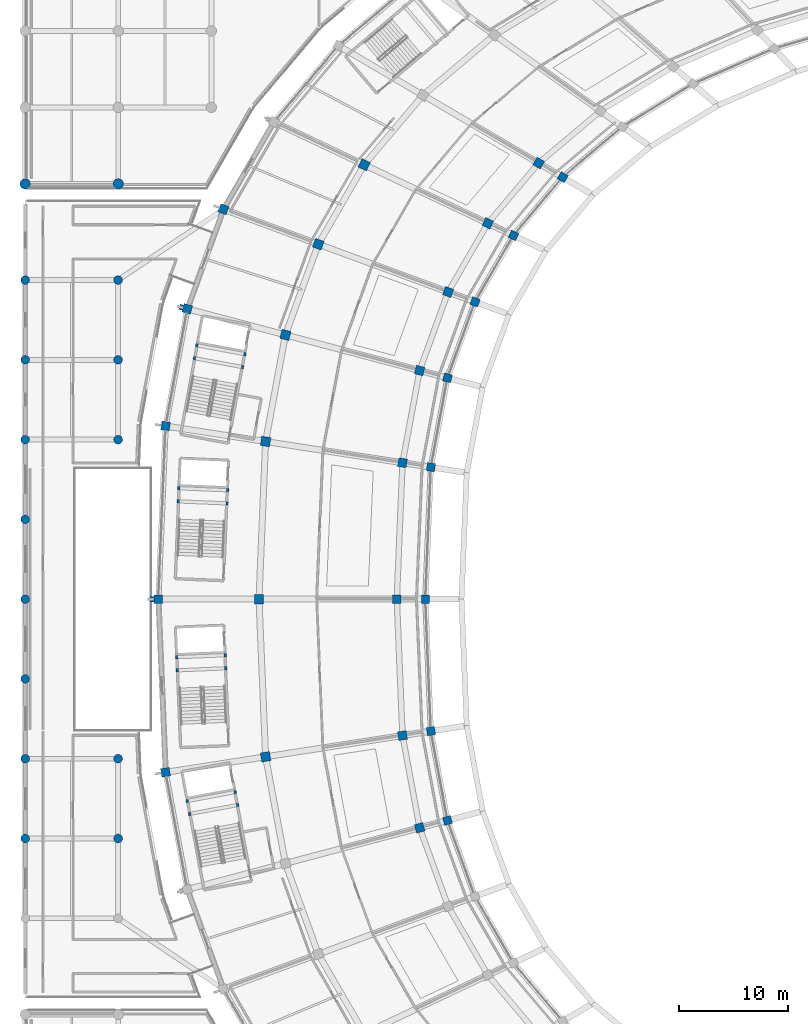
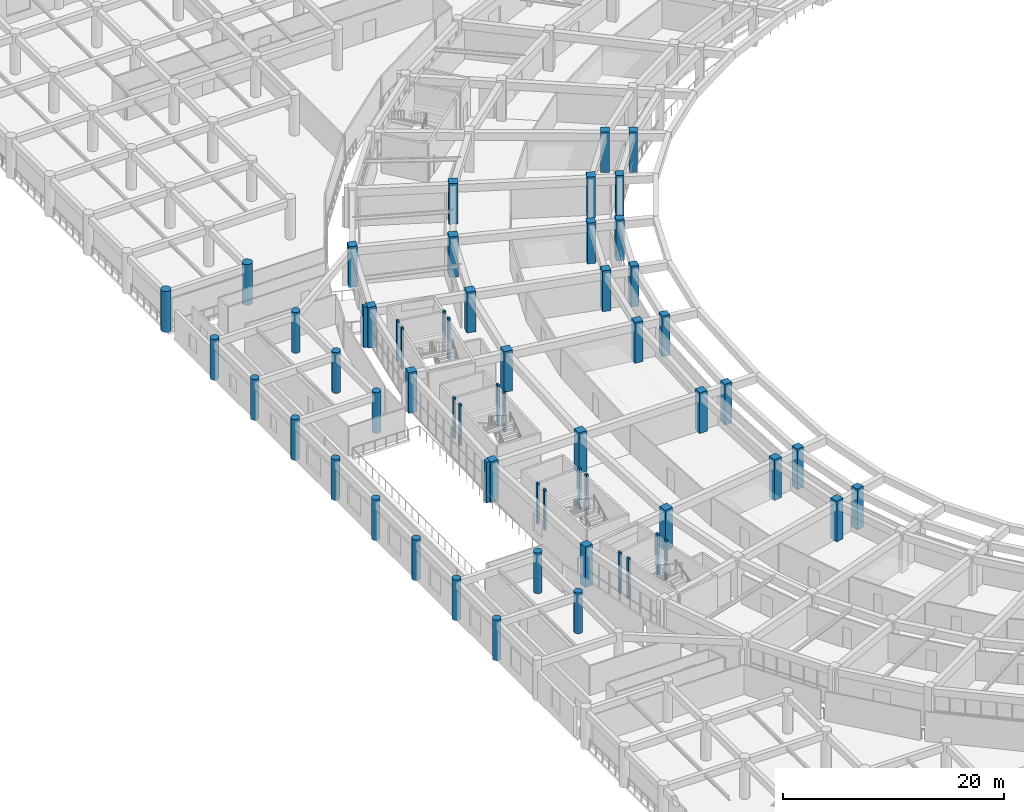
# One storey, part 3 of 145: 60 columns.
"""IFC4 building model written with IfcOpenShell, lengths in metres."""

from ifc_helpers import new_model, si_unit, direction, frame, origin, origin_2d, place, context, subcontext, project, spatial, rectangle, circle, extrude, material, material_profile, profile_set, type_object, element, save


model = new_model("IFC4")

# Units and contexts
model_context = context("Model", 3, precision=1e-05, world=origin(), true_north=direction((0.0, 1.0)))
body_context = subcontext(model_context, "Body", "Model", "MODEL_VIEW")
ifc_project = project(units=[si_unit("LENGTHUNIT", "METRE"), si_unit("AREAUNIT", "SQUARE_METRE"), si_unit("VOLUMEUNIT", "CUBIC_METRE"), si_unit("PLANEANGLEUNIT", "RADIAN"), si_unit("MASSUNIT", "GRAM", prefix="KILO")], contexts=[model_context])

# Site, building, storey
site_placement = place(None, origin())
site = spatial("IfcSite", under=ifc_project, at=site_placement, CompositionType="ELEMENT")
building_placement = place(site_placement, origin())
building = spatial("IfcBuilding", under=site, at=building_placement, Name="Mphavela Belvedere Stadium", CompositionType="ELEMENT")
storey_placement = place(building_placement, frame((0.0, 0.0, 10.199951171875)))
storey = spatial("IfcBuildingStorey", under=building, at=storey_placement, Name="L02", CompositionType="ELEMENT", Elevation=10.199951171875)

# Columns
ifc_material_1 = material(Name="Concrete C40/50", Category="concrete")
ifc_material_profile_1 = material_profile(ifc_material_1, rectangle(XDim=0.300048828125, YDim=0.219970703125, at=origin_2d()), Name="RC 300x220")
ifc_profile_set_1 = profile_set([ifc_material_profile_1], Name="Concrete C40/50")
column_type_1 = type_object("IfcColumnType", Name="COL-CORE-POST-300", PredefinedType="COLUMN", material=ifc_profile_set_1)
for number, where, z_axis, x_axis, name in (
    (1, (19.88623046875, 108.2353515625, 0.0), (0.0, 0.0, 1.0), (0.182578735093, 0.983191235463, 0.0), "Core C06 stair frame column L02-1"),
    (2, (20.105224609375, 109.415283203125, 0.0), (0.0, 0.0, 1.0), (0.182578735093, 0.983191235463, 0.0), "Core C06 stair frame column L02-2"),
    (3, (15.71044921875, 110.231201171875, 0.0), (0.0, 0.0, 1.0), (0.182578735093, 0.983191235463, 0.0), "Core C06 stair frame column L02-3"),
    (4, (15.491455078125, 109.051513671875, 0.0), (0.0, 0.0, 1.0), (0.182578735093, 0.983191235463, 0.0), "Core C06 stair frame column L02-4"),
    (5, (18.47021484375, 95.76318359375, 0.0), (0.0, 0.0, 1.0), (0.041875653729, 0.999122830099, 0.0), "Core C07 stair frame column L02-1"),
    (6, (18.5205078125, 96.96240234375, 0.0), (0.0, 0.0, 1.0), (0.041875653729, 0.999122830099, 0.0), "Core C07 stair frame column L02-2"),
    (7, (14.05419921875, 97.1494140625, 0.0), (0.0, 0.0, 1.0), (0.041875653729, 0.999122830099, 0.0), "Core C07 stair frame column L02-3"),
    (8, (14.004150390625, 95.950439453125, 0.0), (0.0, 0.0, 1.0), (0.041875653729, 0.999122830099, 0.0), "Core C07 stair frame column L02-4"),
    (9, (18.367919921875, 80.674560546875, 0.0), (0.0, 0.0, 1.0), (-0.041875653729, 0.999122830099, 0.0), "Core C08 stair frame column L02-1"),
    (10, (18.317626953125, 81.87353515625, 0.0), (0.0, 0.0, 1.0), (-0.041875653729, 0.999122830099, 0.0), "Core C08 stair frame column L02-2"),
    (11, (13.8515625, 81.686279296875, 0.0), (0.0, 0.0, 1.0), (-0.041875653729, 0.999122830099, 0.0), "Core C08 stair frame column L02-3"),
    (12, (13.90185546875, 80.4873046875, 0.0), (0.0, 0.0, 1.0), (-0.041875653729, 0.999122830099, 0.0), "Core C08 stair frame column L02-4"),
    (13, (19.440673828125, 68.16357421875, 0.0), (0.0, 0.0, 1.0), (-0.182578735093, 0.983191235463, 0.0), "Core C09 stair frame column L02-1"),
    (14, (19.2216796875, 69.343505859375, 0.0), (0.0, 0.0, 1.0), (-0.182578735093, 0.983191235463, 0.0), "Core C09 stair frame column L02-2"),
    (15, (14.82666015625, 68.52734375, 0.0), (0.0, 0.0, 1.0), (-0.182578735093, 0.983191235463, 0.0), "Core C09 stair frame column L02-3"),
    (16, (15.0458984375, 67.347412109375, 0.0), (0.0, 0.0, 1.0), (-0.182578735093, 0.983191235463, 0.0), "Core C09 stair frame column L02-4"),
):
    element("IfcColumn", number, at=place(storey_placement, frame(where, z_axis=z_axis, x_axis=x_axis)), inside=storey, type_object=column_type_1, Name=name, PredefinedType="COLUMN", context=body_context, shape_type="SweptSolid", body=[
        extrude(rectangle(XDim=0.300048828125, YDim=0.219970703125, at=origin_2d()), origin(), (0.0, 0.0, 1.0), 4.5),
    ])
ifc_material_2 = material(Name="Concrete C40/50", Category="concrete")
ifc_material_profile_2 = material_profile(ifc_material_2, circle(Radius=0.47509765625, at=origin_2d()), Name="COL D950")
ifc_profile_set_2 = profile_set([ifc_material_profile_2], Name="Concrete C40/50")
column_type_2 = type_object("IfcColumnType", Name="COL-DORIC-950", PredefinedType="COLUMN", material=ifc_profile_set_2)
for number, where, z_axis, x_axis, name in (
    (17, (0.0, 125.0, 0.0), (0.0, 0.0, 1.0), (1.0, 0.0, 0.0), "North Mast and Ceremonial End Forecourt classical column L02 1-1"),
    (18, (8.51904296875, 125.0, 0.0), (0.0, 0.0, 1.0), (1.0, 0.0, 0.0), "North Mast and Ceremonial End Forecourt classical column L02 2-1"),
):
    element("IfcColumn", number, at=place(storey_placement, frame(where, z_axis=z_axis, x_axis=x_axis)), inside=storey, type_object=column_type_2, Name=name, PredefinedType="COLUMN", context=body_context, shape_type="SweptSolid", body=[
        extrude(circle(Radius=0.47509765625, at=origin_2d()), origin(), (0.0, 0.0, 1.0), 4.5),
    ])
ifc_material_3 = material(Name="Concrete C40/50", Category="concrete")
ifc_material_profile_3 = material_profile(ifc_material_3, circle(Radius=0.39990234375, at=origin_2d()), Name="COL D800")
ifc_profile_set_3 = profile_set([ifc_material_profile_3], Name="Concrete C40/50")
column_type_3 = type_object("IfcColumnType", Name="COL-PERISTYLE-800", PredefinedType="COLUMN", material=ifc_profile_set_3)
for number, where, z_axis, x_axis, name in (
    (19, (0.0, 65.10009765625, 0.0), (0.0, 0.0, 1.0), (1.0, 0.0, 0.0), "West Planted Eaves Peristyle Colonnade classical column L02 1-3"),
    (20, (0.0, 72.39990234375, 0.0), (0.0, 0.0, 1.0), (1.0, 0.0, 0.0), "West Planted Eaves Peristyle Colonnade classical column L02 1-4"),
    (21, (0.0, 79.699951171875, 0.0), (0.0, 0.0, 1.0), (1.0, 0.0, 0.0), "West Planted Eaves Peristyle Colonnade classical column L02 1-5"),
    (22, (0.0, 87.0, 0.0), (0.0, 0.0, 1.0), (1.0, 0.0, 0.0), "West Planted Eaves Peristyle Colonnade classical column L02 1-6"),
    (23, (0.0, 94.300048828125, 0.0), (0.0, 0.0, 1.0), (1.0, 0.0, 0.0), "West Planted Eaves Peristyle Colonnade classical column L02 1-7"),
    (24, (0.0, 101.60009765625, 0.0), (0.0, 0.0, 1.0), (1.0, 0.0, 0.0), "West Planted Eaves Peristyle Colonnade classical column L02 1-8"),
    (25, (0.0, 108.89990234375, 0.0), (0.0, 0.0, 1.0), (1.0, 0.0, 0.0), "West Planted Eaves Peristyle Colonnade classical column L02 1-9"),
    (26, (0.0, 116.199951171875, 0.0), (0.0, 0.0, 1.0), (1.0, 0.0, 0.0), "West Planted Eaves Peristyle Colonnade classical column L02 1-10"),
    (27, (8.5, 65.10009765625, 0.0), (0.0, 0.0, 1.0), (1.0, 0.0, 0.0), "West Planted Eaves Peristyle Colonnade classical column L02 2-3"),
    (28, (8.5, 72.39990234375, 0.0), (0.0, 0.0, 1.0), (1.0, 0.0, 0.0), "West Planted Eaves Peristyle Colonnade classical column L02 2-4"),
    (29, (8.5, 101.60009765625, 0.0), (0.0, 0.0, 1.0), (1.0, 0.0, 0.0), "West Planted Eaves Peristyle Colonnade classical column L02 2-8"),
    (30, (8.5, 108.89990234375, 0.0), (0.0, 0.0, 1.0), (1.0, 0.0, 0.0), "West Planted Eaves Peristyle Colonnade classical column L02 2-9"),
    (31, (8.5, 116.199951171875, 0.0), (0.0, 0.0, 1.0), (1.0, 0.0, 0.0), "West Planted Eaves Peristyle Colonnade classical column L02 2-10"),
):
    element("IfcColumn", number, at=place(storey_placement, frame(where, z_axis=z_axis, x_axis=x_axis)), inside=storey, type_object=column_type_3, Name=name, PredefinedType="COLUMN", context=body_context, shape_type="SweptSolid", body=[
        extrude(circle(Radius=0.39990234375, at=origin_2d()), origin(), (0.0, 0.0, 1.0), 4.5),
    ])
ifc_material_4 = material(Name="Concrete C40/50", Category="concrete")
ifc_material_profile_4 = material_profile(ifc_material_4, rectangle(XDim=0.75, YDim=0.75, at=origin_2d()), Name="RC 750x750")
ifc_profile_set_4 = profile_set([ifc_material_profile_4], Name="Concrete C40/50")
column_type_4 = type_object("IfcColumnType", Name="COL-RC750", PredefinedType="COLUMN", material=ifc_profile_set_4)
for number, where, z_axis, x_axis, name in (
    (32, (49.1875, 125.611328125, 0.0), (0.0, 0.0, 1.0), (-0.862513669207, 0.506033764121, 0.0), "Inner concourse column L02 R1-20"),
    (33, (44.68701171875, 120.281494140625, 0.0), (0.0, 0.0, 1.0), (-0.903858661687, 0.4278311813, 0.0), "Inner concourse column L02 R1-21"),
    (34, (41.170166015625, 114.19921875, 0.0), (0.0, 0.0, 1.0), (-0.938372433776, 0.34562577382, 0.0), "Inner concourse column L02 R1-22"),
    (35, (38.648193359375, 107.24755859375, 0.0), (0.0, 0.0, 1.0), (-0.966600102017, 0.256289373133, 0.0), "Inner concourse column L02 R1-23"),
    (36, (37.130615234375, 99.078125, 0.0), (0.0, 0.0, 1.0), (-0.98817491911, 0.153330783737, 0.0), "Inner concourse column L02 R1-24"),
    (37, (36.6240234375, 87.0, 0.0), (0.0, 0.0, 1.0), (-1.0, 0.0, 0.0), "Inner concourse column L02 R1-25"),
    (38, (37.130615234375, 74.921875, 0.0), (0.0, 0.0, 1.0), (-0.98817491911, -0.153330783737, 0.0), "Inner concourse column L02 R1-26"),
    (39, (38.648193359375, 66.75244140625, 0.0), (0.0, 0.0, 1.0), (-0.966600102017, -0.256289373133, 0.0), "Inner concourse column L02 R1-27"),
):
    element("IfcColumn", number, at=place(storey_placement, frame(where, z_axis=z_axis, x_axis=x_axis)), inside=storey, type_object=column_type_4, Name=name, PredefinedType="COLUMN", context=body_context, shape_type="SweptSolid", body=[
        extrude(rectangle(XDim=0.75, YDim=0.75, at=origin_2d()), origin(), (0.0, 0.0, 1.0), 4.5),
    ])
ifc_material_5 = material(Name="Concrete C40/50", Category="concrete")
ifc_material_profile_5 = material_profile(ifc_material_5, rectangle(XDim=0.800048828125, YDim=0.800048828125, at=origin_2d()), Name="RC 800x800")
ifc_profile_set_5 = profile_set([ifc_material_profile_5], Name="Concrete C40/50")
column_type_5 = type_object("IfcColumnType", Name="COL-RC800", PredefinedType="COLUMN", material=ifc_profile_set_5)
for number, where, z_axis, x_axis, name in (
    (40, (46.98828125, 126.901611328125, 0.0), (0.0, 0.0, 1.0), (-0.862513669207, 0.506033764121, 0.0), "Middle concourse column L02 R2-20"),
    (41, (42.33740234375, 121.393798828125, 0.0), (0.0, 0.0, 1.0), (-0.903858661687, 0.4278311813, 0.0), "Middle concourse column L02 R2-21"),
    (42, (38.702880859375, 115.108154296875, 0.0), (0.0, 0.0, 1.0), (-0.938372433776, 0.34562577382, 0.0), "Middle concourse column L02 R2-22"),
    (43, (18.143798828125, 122.682373046875, 0.0), (0.0, 0.0, 1.0), (-0.938372433776, 0.34562577382, 0.0), "Outer colonnade column L02 R4-22"),
    (44, (36.0966796875, 107.92431640625, 0.0), (0.0, 0.0, 1.0), (-0.966600102017, 0.256289373133, 0.0), "Middle concourse column L02 R2-23"),
    (45, (14.83544921875, 113.5625, 0.0), (0.0, 0.0, 1.0), (-0.966600102017, 0.256289373133, 0.0), "Outer colonnade column L02 R4-23"),
    (46, (34.528564453125, 99.481689453125, 0.0), (0.0, 0.0, 1.0), (-0.98817491911, 0.153330783737, 0.0), "Middle concourse column L02 R2-24"),
    (47, (12.844482421875, 102.844970703125, 0.0), (0.0, 0.0, 1.0), (-0.98817491911, 0.153330783737, 0.0), "Outer colonnade column L02 R4-24"),
    (48, (34.0048828125, 87.0, 0.0), (0.0, 0.0, 1.0), (-1.0, 0.0, 0.0), "Middle concourse column L02 R2-25"),
    (49, (12.179931640625, 87.0, 0.0), (0.0, 0.0, 1.0), (-1.0, 0.0, 0.0), "Outer colonnade column L02 R4-25"),
    (50, (34.528564453125, 74.518310546875, 0.0), (0.0, 0.0, 1.0), (-0.98817491911, -0.153330783737, 0.0), "Middle concourse column L02 R2-26"),
    (51, (12.844482421875, 71.155029296875, 0.0), (0.0, 0.0, 1.0), (-0.98817491911, -0.153330783737, 0.0), "Outer colonnade column L02 R4-26"),
    (52, (36.0966796875, 66.07568359375, 0.0), (0.0, 0.0, 1.0), (-0.966600102017, -0.256289373133, 0.0), "Middle concourse column L02 R2-27"),
):
    element("IfcColumn", number, at=place(storey_placement, frame(where, z_axis=z_axis, x_axis=x_axis)), inside=storey, type_object=column_type_5, Name=name, PredefinedType="COLUMN", context=body_context, shape_type="SweptSolid", body=[
        extrude(rectangle(XDim=0.800048828125, YDim=0.800048828125, at=origin_2d()), origin(), (0.0, 0.0, 1.0), 4.5),
    ])
ifc_material_6 = material(Name="Concrete C40/50", Category="concrete")
ifc_material_profile_6 = material_profile(ifc_material_6, rectangle(XDim=0.85009765625, YDim=0.85009765625, at=origin_2d()), Name="RC 850x850")
ifc_profile_set_6 = profile_set([ifc_material_profile_6], Name="Concrete C40/50")
column_type_6 = type_object("IfcColumnType", Name="COL-RC850", PredefinedType="COLUMN", material=ifc_profile_set_6)
for number, where, z_axis, x_axis, name in (
    (53, (31.0244140625, 126.748291015625, 0.0), (0.0, 0.0, 1.0), (-0.903858661687, 0.4278311813, 0.0), "Main bowl column L02 R3-21"),
    (54, (26.824462890625, 119.484375, 0.0), (0.0, 0.0, 1.0), (-0.938372433776, 0.34562577382, 0.0), "Main bowl column L02 R3-22"),
    (55, (23.8125, 111.181884765625, 0.0), (0.0, 0.0, 1.0), (-0.966600102017, 0.256289373133, 0.0), "Main bowl column L02 R3-23"),
    (56, (22.0, 101.4248046875, 0.0), (0.0, 0.0, 1.0), (-0.98817491911, 0.153330783737, 0.0), "Main bowl column L02 R3-24"),
    (57, (21.39501953125, 87.0, 0.0), (0.0, 0.0, 1.0), (-1.0, 0.0, 0.0), "Main bowl column L02 R3-25"),
    (58, (22.0, 72.5751953125, 0.0), (0.0, 0.0, 1.0), (-0.98817491911, -0.153330783737, 0.0), "Main bowl column L02 R3-26"),
):
    element("IfcColumn", number, at=place(storey_placement, frame(where, z_axis=z_axis, x_axis=x_axis)), inside=storey, type_object=column_type_6, Name=name, PredefinedType="COLUMN", context=body_context, shape_type="SweptSolid", body=[
        extrude(rectangle(XDim=0.85009765625, YDim=0.85009765625, at=origin_2d()), origin(), (0.0, 0.0, 1.0), 4.5),
    ])
ifc_material_7 = material(Name="Concrete C40/50", Category="concrete")
ifc_material_profile_7 = material_profile(ifc_material_7, rectangle(XDim=0.5, YDim=0.35009765625, at=origin_2d()), Name="PIL 500x350")
ifc_profile_set_7 = profile_set([ifc_material_profile_7], Name="Concrete C40/50")
column_type_7 = type_object("IfcColumnType", Name="PIL-FLUTED-500", PredefinedType="PILASTER", material=ifc_profile_set_7)
for number, where, z_axis, x_axis, name in (
    (59, (14.276611328125, 113.710693359375, 0.0), (0.0, 0.0, 1.0), (-0.256289373133, -0.966600102017, 0.0), "Fluted classical pilaster L02-23"),
    (60, (11.60205078125, 87.0, 0.0), (0.0, 0.0, 1.0), (0.0, -1.0, 0.0), "Fluted classical pilaster L02-25"),
):
    element("IfcColumn", number, at=place(storey_placement, frame(where, z_axis=z_axis, x_axis=x_axis)), inside=storey, type_object=column_type_7, Name=name, PredefinedType="PILASTER", context=body_context, shape_type="SweptSolid", body=[
        extrude(rectangle(XDim=0.5, YDim=0.35009765625, at=origin_2d()), origin(), (0.0, 0.0, 1.0), 4.5),
    ])

save(model, "model.ifc")
